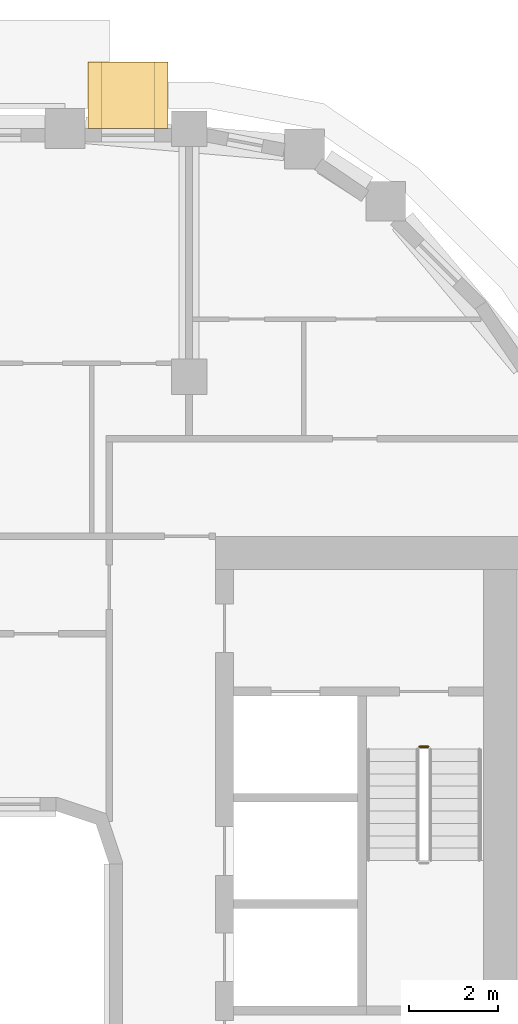
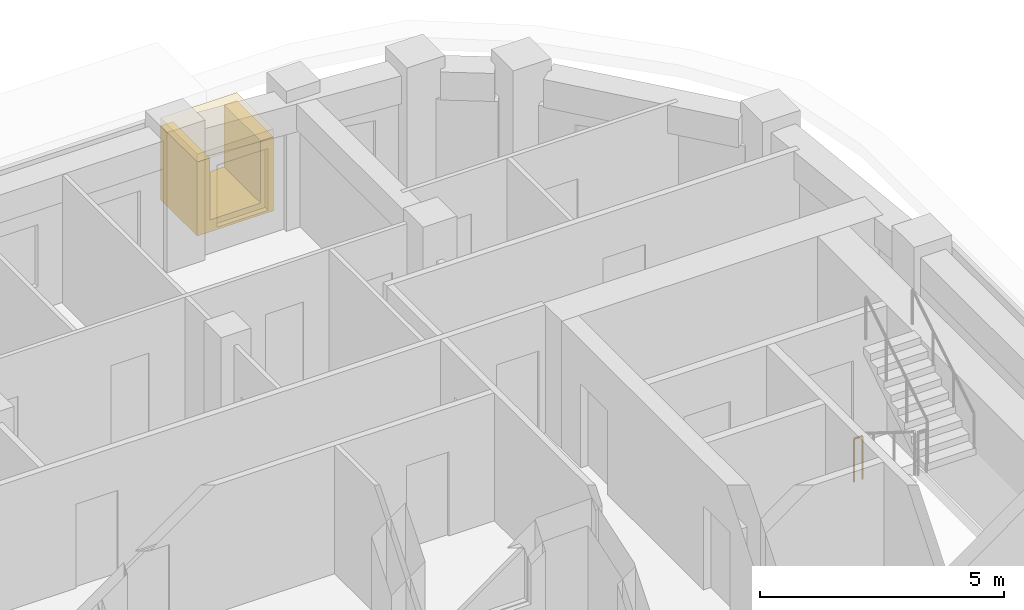
# One storey, part 21 of 21: 2 coverings, 1 railing.
"""IFC4 building model written with IfcOpenShell, lengths in metres."""

from ifc_helpers import new_model, si_unit, direction, frame, origin, origin_2d, place, context, subcontext, project, spatial, polyline, rectangle, circle, outline, extrude, material, layer, layer_set, type_object, element, save


model = new_model("IFC4")

# Units and contexts
model_context = context("Model", 3, precision=1e-05, world=origin(), true_north=direction((0.0, 1.0)))
body_context = subcontext(model_context, "Body", "Model", "MODEL_VIEW")
ifc_project = project(units=[si_unit("LENGTHUNIT", "METRE"), si_unit("AREAUNIT", "SQUARE_METRE"), si_unit("VOLUMEUNIT", "CUBIC_METRE"), si_unit("PLANEANGLEUNIT", "RADIAN"), si_unit("MASSUNIT", "GRAM", prefix="KILO")], contexts=[model_context])

# Site, building, storey
site_placement = place(None, origin())
site = spatial("IfcSite", under=ifc_project, at=site_placement, CompositionType="ELEMENT")
building_placement = place(site_placement, origin())
building = spatial("IfcBuilding", under=site, at=building_placement, Name="Kiln Ring Residences", CompositionType="ELEMENT")
storey_placement = place(building_placement, frame((0.0, 0.0, 195.89990234375)))
storey = spatial("IfcBuildingStorey", under=building, at=storey_placement, Name="L50", CompositionType="ELEMENT", Elevation=195.89990234375)

# Railing
ifc_material_1 = material(Name="Stainless steel", Category="steel")
railing_type = type_object("IfcRailingType", Name="CORE-STAIR-GUARD", PredefinedType="GUARDRAIL", material=ifc_material_1)
railing_placement = place(storey_placement, frame((22.0, 8.449951171875, 0.0)))
element("IfcRailing", 1, at=railing_placement, inside=storey, type_object=railing_type, Name="L50 E-STN stair guard 4", PredefinedType="GUARDRAIL", context=body_context, shape_type="SweptSolid", body=[
    extrude(circle(Radius=0.02392578125, at=origin_2d()), frame((0.0, 0.0, 1.076171875), z_axis=(1.0, 0.0, 0.0), x_axis=(0.0, 1.0, 0.0)), (0.0, 0.0, 1.0), 0.199951171875),
    extrude(circle(Radius=0.02099609375, at=origin_2d()), origin(), (0.0, 0.0, 1.0), 1.052001953125),
    extrude(circle(Radius=0.02099609375, at=origin_2d()), frame((0.199951171875, 0.0, 0.0)), (0.0, 0.0, 1.0), 1.052001953125),
])

# Coverings
ifc_material_2 = material(Name="Brick masonry, dark clay brick", Category="masonry")
ifc_layer_1 = layer(ifc_material_2, 0.300048828125)
ifc_layer_set_1 = layer_set([ifc_layer_1], Name="FRAME CHEEKS AND SILL 1500")
covering_type_1 = type_object("IfcCoveringType", Name="FRAME CHEEKS AND SILL 1500", PredefinedType="CLADDING", material=ifc_layer_set_1)
covering_1_placement = place(storey_placement, frame((16.324951171875, 23.14990234375, 0.300048828125), z_axis=(0.0, 0.0, 1.0), x_axis=(-1.0, 0.0, 0.0)))
element("IfcCovering", 2, at=covering_1_placement, inside=storey, type_object=covering_type_1, Name="FRAME L50", PredefinedType="CLADDING", context=body_context, shape_type="SweptSolid", body=[
    extrude(outline(polyline([(0.0, 0.0), (1.800048828125, 0.0), (1.800048828125, 1.85009765625), (1.5009765625, 1.85009765625), (1.5, 0.300048828125), (0.300048828125, 0.300048828125), (0.299072265625, 1.85009765625), (0.0, 1.85009765625), (0.0, 0.0)])), frame((0.0, 0.75, 0.0), z_axis=(0.0, -1.0, 0.0), x_axis=(1.0, 0.0, 0.0)), (0.0, 0.0, 1.0), 1.5),
])
ifc_material_3 = material(Name="Brick masonry, dark clay brick", Category="masonry")
ifc_layer_2 = layer(ifc_material_3, 0.199951171875)
ifc_layer_set_2 = layer_set([ifc_layer_2], Name="FRAME HEAD 1500")
covering_type_2 = type_object("IfcCoveringType", Name="FRAME HEAD 1500", PredefinedType="CLADDING", material=ifc_layer_set_2)
covering_2_placement = place(storey_placement, frame((15.425048828125, 23.14990234375, 2.14990234375), z_axis=(0.0, 0.0, 1.0), x_axis=(-1.0, 0.0, 0.0)))
element("IfcCovering", 3, at=covering_2_placement, inside=storey, type_object=covering_type_2, Name="FRAME HEAD L50", PredefinedType="CLADDING", context=body_context, shape_type="SweptSolid", body=[
    extrude(rectangle(XDim=1.800048828125, YDim=1.5, at=origin_2d()), origin(), (0.0, 0.0, 1.0), 0.199951171875),
])

save(model, "model.ifc")
